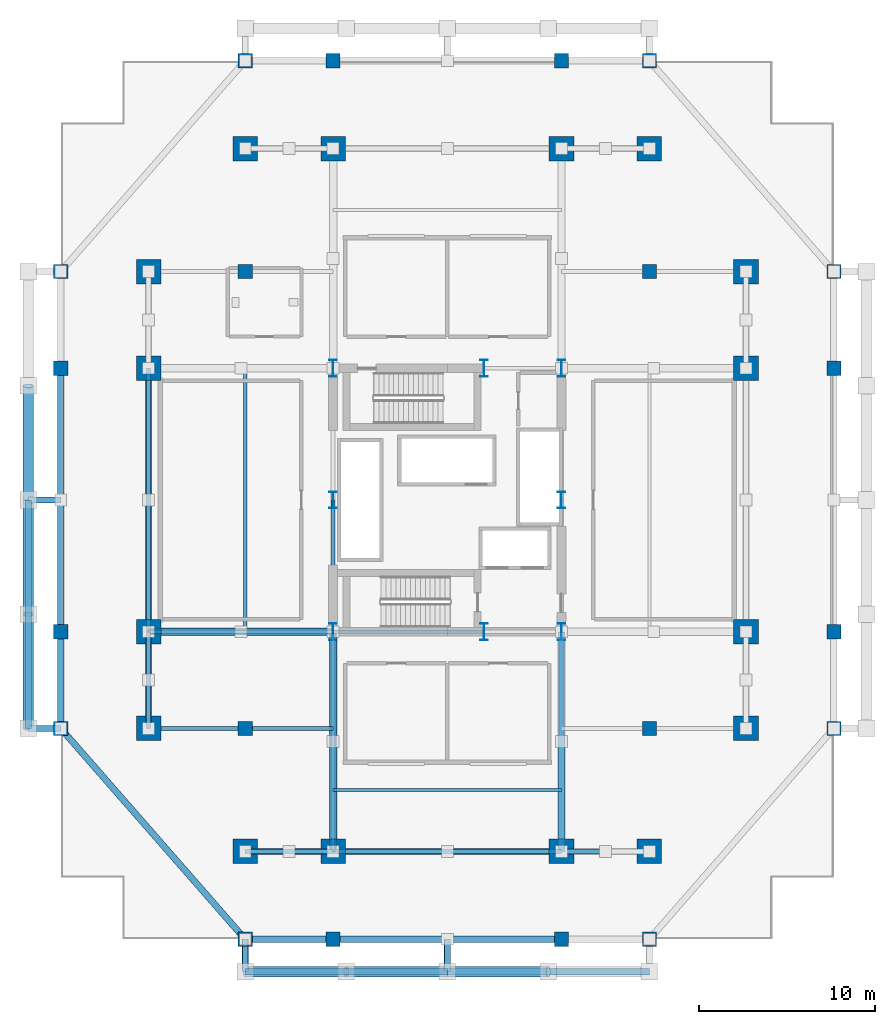
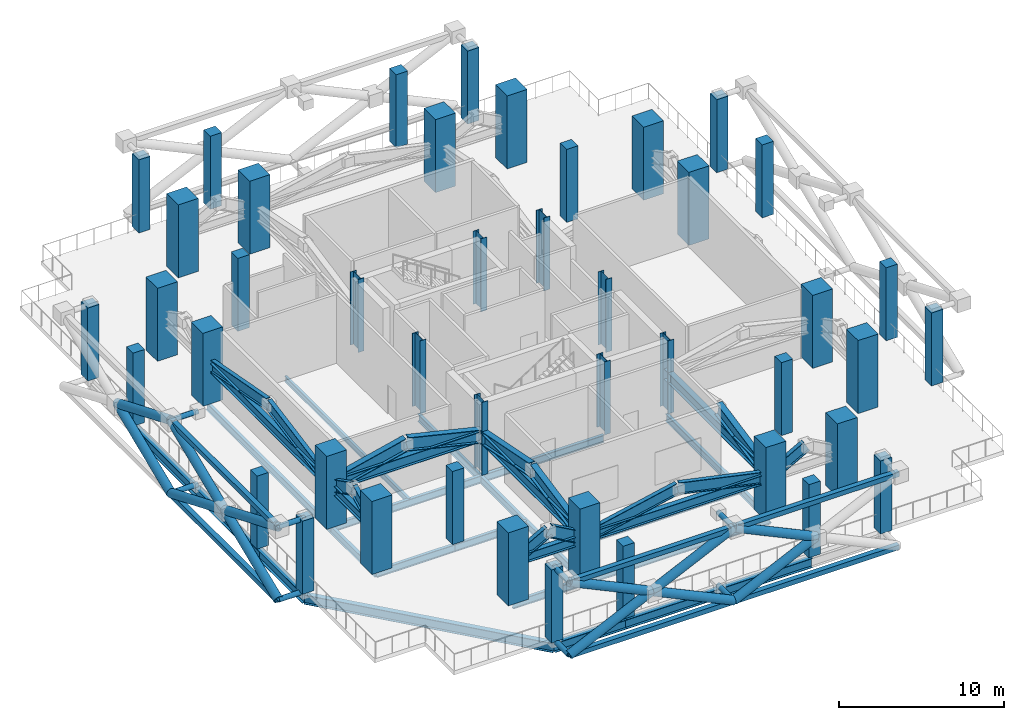
# One storey, part 1 of 9: 47 members, 44 columns, 18 beams.
"""IFC4 building model written with IfcOpenShell, lengths in metres."""

from ifc_helpers import new_model, si_unit, direction, frame, origin, origin_2d, place, context, subcontext, project, spatial, rectangle, hollow_rectangle, hollow_circle, i_section, extrude, material, material_profile, profile_set, type_object, element, save


model = new_model("IFC4")

# Units and contexts
model_context = context("Model", 3, precision=1e-05, world=origin(), true_north=direction((0.0, 1.0)))
body_context = subcontext(model_context, "Body", "Model", "MODEL_VIEW")
ifc_project = project(units=[si_unit("LENGTHUNIT", "METRE"), si_unit("AREAUNIT", "SQUARE_METRE"), si_unit("VOLUMEUNIT", "CUBIC_METRE"), si_unit("PLANEANGLEUNIT", "RADIAN"), si_unit("MASSUNIT", "GRAM", prefix="KILO")], contexts=[model_context])

# Site, building, storey
site_placement = place(None, origin())
site = spatial("IfcSite", under=ifc_project, at=site_placement, CompositionType="ELEMENT")
building_placement = place(site_placement, origin())
building = spatial("IfcBuilding", under=site, at=building_placement, Name="Barlavira Tower and Art Museum", CompositionType="ELEMENT")
storey_placement = place(building_placement, frame((0.0, 0.0, 93.60009765625)))
storey = spatial("IfcBuildingStorey", under=building, at=storey_placement, Name="L23", CompositionType="ELEMENT", Elevation=93.60009765625)

# Columns
ifc_material_1 = material(Name="Steel S355", Category="steel")
ifc_material_profile_1 = material_profile(ifc_material_1, i_section(OverallWidth=0.419921875, OverallDepth=0.9599609375, WebThickness=0.02197265625, FlangeThickness=0.033935546875, at=origin_2d()), Name="W920x387.0")
ifc_profile_set_1 = profile_set([ifc_material_profile_1], Name="Steel S355")
column_type_1 = type_object("IfcColumnType", Name="Core Composite Column W920x387 Steel S355", PredefinedType="COLUMN", material=ifc_profile_set_1)
for number, where, z_axis, x_axis, name in (
    (1, (-6.5, -7.5, 0.0), (0.0, 0.0, 1.0), (1.0, 0.0, 0.0), "L23 Column CC-L23-C1"),
    (2, (2.080078125, -7.5, 0.0), (0.0, 0.0, 1.0), (1.0, 0.0, 0.0), "L23 Column CC-L23-C2"),
    (3, (6.5, -7.5, 0.0), (0.0, 0.0, 1.0), (1.0, 0.0, 0.0), "L23 Column CC-L23-C3"),
    (4, (-6.5, 0.0, 0.0), (0.0, 0.0, 1.0), (1.0, 0.0, 0.0), "L23 Column CC-L23-C4"),
    (5, (6.5, 0.0, 0.0), (0.0, 0.0, 1.0), (1.0, 0.0, 0.0), "L23 Column CC-L23-C5"),
    (6, (-6.5, 7.5, 0.0), (0.0, 0.0, 1.0), (1.0, 0.0, 0.0), "L23 Column CC-L23-C6"),
    (7, (2.080078125, 7.5, 0.0), (0.0, 0.0, 1.0), (1.0, 0.0, 0.0), "L23 Column CC-L23-C7"),
    (8, (6.5, 7.5, 0.0), (0.0, 0.0, 1.0), (1.0, 0.0, 0.0), "L23 Column CC-L23-C8"),
):
    element("IfcColumn", number, at=place(storey_placement, frame(where, z_axis=z_axis, x_axis=x_axis)), inside=storey, type_object=column_type_1, Name=name, PredefinedType="COLUMN", context=body_context, shape_type="SweptSolid", body=[
        extrude(i_section(OverallWidth=0.419921875, OverallDepth=0.9599609375, WebThickness=0.02197265625, FlangeThickness=0.033935546875, at=origin_2d()), origin(), (0.0, 0.0, 1.0), 5.39990234375),
    ])
ifc_material_2 = material(Name="Concrete C60", Category="concrete")
ifc_material_profile_2 = material_profile(ifc_material_2, rectangle(XDim=1.39990234375, YDim=1.39990234375, at=origin_2d()), Name="RC-MCOL 1400x1400")
ifc_profile_set_2 = profile_set([ifc_material_profile_2], Name="Concrete C60")
column_type_2 = type_object("IfcColumnType", Name="Perimeter Mega Column 1400x1400 Concrete C60", PredefinedType="USERDEFINED", material=ifc_profile_set_2)
for number, where, z_axis, x_axis, name in (
    (9, (-11.5, -20.0, 0.0), (0.0, 0.0, 1.0), (1.0, 0.0, 0.0), "L23 Column MC-L23-M01"),
    (10, (-6.5, -20.0, 0.0), (0.0, 0.0, 1.0), (1.0, 0.0, 0.0), "L23 Column MC-L23-M02"),
    (11, (6.5, -20.0, 0.0), (0.0, 0.0, 1.0), (1.0, 0.0, 0.0), "L23 Column MC-L23-M03"),
    (12, (11.5, -20.0, 0.0), (0.0, 0.0, 1.0), (1.0, 0.0, 0.0), "L23 Column MC-L23-M04"),
    (13, (17.0, -13.0, 0.0), (0.0, 0.0, 1.0), (1.0, 0.0, 0.0), "L23 Column MC-L23-M05"),
    (14, (17.0, -7.5, 0.0), (0.0, 0.0, 1.0), (1.0, 0.0, 0.0), "L23 Column MC-L23-M06"),
    (15, (17.0, 7.5, 0.0), (0.0, 0.0, 1.0), (1.0, 0.0, 0.0), "L23 Column MC-L23-M07"),
    (16, (17.0, 13.0, 0.0), (0.0, 0.0, 1.0), (1.0, 0.0, 0.0), "L23 Column MC-L23-M08"),
    (17, (11.5, 20.0, 0.0), (0.0, 0.0, 1.0), (1.0, 0.0, 0.0), "L23 Column MC-L23-M09"),
    (18, (6.5, 20.0, 0.0), (0.0, 0.0, 1.0), (1.0, 0.0, 0.0), "L23 Column MC-L23-M10"),
    (19, (-6.5, 20.0, 0.0), (0.0, 0.0, 1.0), (1.0, 0.0, 0.0), "L23 Column MC-L23-M11"),
    (20, (-11.5, 20.0, 0.0), (0.0, 0.0, 1.0), (1.0, 0.0, 0.0), "L23 Column MC-L23-M12"),
    (21, (-17.0, 13.0, 0.0), (0.0, 0.0, 1.0), (1.0, 0.0, 0.0), "L23 Column MC-L23-M13"),
    (22, (-17.0, 7.5, 0.0), (0.0, 0.0, 1.0), (1.0, 0.0, 0.0), "L23 Column MC-L23-M14"),
    (23, (-17.0, -7.5, 0.0), (0.0, 0.0, 1.0), (1.0, 0.0, 0.0), "L23 Column MC-L23-M15"),
    (24, (-17.0, -13.0, 0.0), (0.0, 0.0, 1.0), (1.0, 0.0, 0.0), "L23 Column MC-L23-M16"),
):
    element("IfcColumn", number, at=place(storey_placement, frame(where, z_axis=z_axis, x_axis=x_axis)), inside=storey, type_object=column_type_2, Name=name, ObjectType="MEGA COLUMN", PredefinedType="USERDEFINED", context=body_context, shape_type="SweptSolid", body=[
        extrude(rectangle(XDim=1.39990234375, YDim=1.39990234375, at=origin_2d()), origin(), (0.0, 0.0, 1.0), 5.39990234375),
    ])
ifc_material_3 = material(Name="Concrete C50", Category="concrete")
ifc_material_profile_3 = material_profile(ifc_material_3, rectangle(XDim=0.800048828125, YDim=0.800048828125, at=origin_2d()), Name="RC-COL 800x800")
ifc_profile_set_3 = profile_set([ifc_material_profile_3], Name="Concrete C50")
column_type_3 = type_object("IfcColumnType", Name="Podium Frame Column 800x800 Concrete C50", PredefinedType="COLUMN", material=ifc_profile_set_3)
for number, where, z_axis, x_axis, name in (
    (25, (-11.5, -13.0, 0.0), (0.0, 0.0, 1.0), (1.0, 0.0, 0.0), "L23 Column CI-L23-I1"),
    (26, (11.5, -13.0, 0.0), (0.0, 0.0, 1.0), (1.0, 0.0, 0.0), "L23 Column CI-L23-I2"),
    (27, (-11.5, 13.0, 0.0), (0.0, 0.0, 1.0), (1.0, 0.0, 0.0), "L23 Column CI-L23-I3"),
    (28, (11.5, 13.0, 0.0), (0.0, 0.0, 1.0), (1.0, 0.0, 0.0), "L23 Column CI-L23-I4"),
    (29, (-11.5, -25.0, 0.0), (0.0, 0.0, 1.0), (1.0, 0.0, 0.0), "L23 Column CZ1-L23-N01"),
    (30, (-6.5, -25.0, 0.0), (0.0, 0.0, 1.0), (1.0, 0.0, 0.0), "L23 Column CZ1-L23-N02"),
    (31, (6.5, -25.0, 0.0), (0.0, 0.0, 1.0), (1.0, 0.0, 0.0), "L23 Column CZ1-L23-N02B"),
    (32, (11.5, -25.0, 0.0), (0.0, 0.0, 1.0), (1.0, 0.0, 0.0), "L23 Column CZ1-L23-N03"),
    (33, (-22.0, -13.0, 0.0), (0.0, 0.0, 1.0), (1.0, 0.0, 0.0), "L23 Column CZ1-L23-N04"),
    (34, (-22.0, -7.5, 0.0), (0.0, 0.0, 1.0), (1.0, 0.0, 0.0), "L23 Column CZ1-L23-N05"),
    (35, (-22.0, 7.5, 0.0), (0.0, 0.0, 1.0), (1.0, 0.0, 0.0), "L23 Column CZ1-L23-N05B"),
    (36, (-22.0, 13.0, 0.0), (0.0, 0.0, 1.0), (1.0, 0.0, 0.0), "L23 Column CZ1-L23-N06"),
    (37, (-11.5, 25.0, 0.0), (0.0, 0.0, 1.0), (1.0, 0.0, 0.0), "L23 Column CZ1-L23-N07"),
    (38, (-6.5, 25.0, 0.0), (0.0, 0.0, 1.0), (1.0, 0.0, 0.0), "L23 Column CZ1-L23-N08"),
    (39, (6.5, 25.0, 0.0), (0.0, 0.0, 1.0), (1.0, 0.0, 0.0), "L23 Column CZ1-L23-N08B"),
    (40, (11.5, 25.0, 0.0), (0.0, 0.0, 1.0), (1.0, 0.0, 0.0), "L23 Column CZ1-L23-N09"),
    (41, (22.0, -13.0, 0.0), (0.0, 0.0, 1.0), (1.0, 0.0, 0.0), "L23 Column CZ1-L23-N10"),
    (42, (22.0, -7.5, 0.0), (0.0, 0.0, 1.0), (1.0, 0.0, 0.0), "L23 Column CZ1-L23-N11"),
    (43, (22.0, 7.5, 0.0), (0.0, 0.0, 1.0), (1.0, 0.0, 0.0), "L23 Column CZ1-L23-N11B"),
    (44, (22.0, 13.0, 0.0), (0.0, 0.0, 1.0), (1.0, 0.0, 0.0), "L23 Column CZ1-L23-N12"),
):
    element("IfcColumn", number, at=place(storey_placement, frame(where, z_axis=z_axis, x_axis=x_axis)), inside=storey, type_object=column_type_3, Name=name, PredefinedType="COLUMN", context=body_context, shape_type="SweptSolid", body=[
        extrude(rectangle(XDim=0.800048828125, YDim=0.800048828125, at=origin_2d()), origin(), (0.0, 0.0, 1.0), 5.39990234375),
    ])

# Members
ifc_material_profile_4 = material_profile(ifc_material_1, i_section(OverallWidth=0.35595703125, OverallDepth=0.695068359375, WebThickness=0.014892578125, FlangeThickness=0.023681640625, at=origin_2d()), Name="W690x192.0")
ifc_profile_set_4 = profile_set([ifc_material_profile_4], Name="Steel S355")
member_type_1 = type_object("IfcMemberType", Name="Belt Truss Chord Member W690x192 Steel S355", PredefinedType="CHORD", material=ifc_profile_set_4)
member_1_placement = place(storey_placement, frame((-11.5, -20.0, 2.64990234375), z_axis=(1.0, 0.0, 0.0), x_axis=(0.0, 1.0, 0.0)))
element("IfcMember", 45, at=member_1_placement, inside=storey, type_object=member_type_1, Name="L23 Belt Truss Bottom Chord BS1", PredefinedType="CHORD", context=body_context, shape_type="SweptSolid", body=[
    extrude(i_section(OverallWidth=0.35595703125, OverallDepth=0.695068359375, WebThickness=0.014892578125, FlangeThickness=0.023681640625, at=origin_2d()), origin(), (0.0, 0.0, 1.0), 5.0),
])
member_2_placement = place(storey_placement, frame((-6.5, -20.0, 2.64990234375), z_axis=(1.0, 0.0, 0.0), x_axis=(0.0, 1.0, 0.0)))
element("IfcMember", 46, at=member_2_placement, inside=storey, type_object=member_type_1, Name="L23 Belt Truss Bottom Chord BS2", PredefinedType="CHORD", context=body_context, shape_type="SweptSolid", body=[
    extrude(i_section(OverallWidth=0.35595703125, OverallDepth=0.695068359375, WebThickness=0.014892578125, FlangeThickness=0.023681640625, at=origin_2d()), origin(), (0.0, 0.0, 1.0), 13.0),
])
member_3_placement = place(storey_placement, frame((-17.0, -13.0, 2.64990234375), z_axis=(0.0, 1.0, 0.0), x_axis=(-1.0, 0.0, 0.0)))
element("IfcMember", 47, at=member_3_placement, inside=storey, type_object=member_type_1, Name="L23 Belt Truss Bottom Chord BW1", PredefinedType="CHORD", context=body_context, shape_type="SweptSolid", body=[
    extrude(i_section(OverallWidth=0.35595703125, OverallDepth=0.695068359375, WebThickness=0.014892578125, FlangeThickness=0.023681640625, at=origin_2d()), origin(), (0.0, 0.0, 1.0), 5.5),
])
member_4_placement = place(storey_placement, frame((-17.0, -7.5, 2.64990234375), z_axis=(0.0, 1.0, 0.0), x_axis=(-1.0, 0.0, 0.0)))
element("IfcMember", 48, at=member_4_placement, inside=storey, type_object=member_type_1, Name="L23 Belt Truss Bottom Chord BW2", PredefinedType="CHORD", context=body_context, shape_type="SweptSolid", body=[
    extrude(i_section(OverallWidth=0.35595703125, OverallDepth=0.695068359375, WebThickness=0.014892578125, FlangeThickness=0.023681640625, at=origin_2d()), origin(), (0.0, 0.0, 1.0), 15.0),
])
ifc_material_profile_5 = material_profile(ifc_material_1, i_section(OverallWidth=0.2939453125, OverallDepth=0.85107421875, WebThickness=0.017333984375, FlangeThickness=0.0283203125, at=origin_2d()), Name="W840x251.0")
ifc_profile_set_5 = profile_set([ifc_material_profile_5], Name="Steel S355")
member_type_2 = type_object("IfcMemberType", Name="Belt Truss Diagonal Brace W840x251 Steel S355", PredefinedType="BRACE", material=ifc_profile_set_5)
for number, where, z_axis, x_axis, name in (
    (49, (-11.5, -20.0, 2.64990234375), (0.872520545396, 0.0, 0.488577422588), (0.0, 1.0, 0.0), "L23 Belt Truss Diagonal BS1-1"),
    (50, (-9.0, -20.0, 4.0498046875), (0.872520545396, 0.0, -0.488577422588), (0.0, 1.0, 0.0), "L23 Belt Truss Diagonal BS1-2"),
):
    element("IfcMember", number, at=place(storey_placement, frame(where, z_axis=z_axis, x_axis=x_axis)), inside=storey, type_object=member_type_2, Name=name, PredefinedType="BRACE", context=body_context, shape_type="SweptSolid", body=[
        extrude(i_section(OverallWidth=0.2939453125, OverallDepth=0.85107421875, WebThickness=0.017333984375, FlangeThickness=0.0283203125, at=origin_2d()), origin(), (0.0, 0.0, 1.0), 2.865234375),
    ])
for number, where, z_axis, x_axis, name in (
    (51, (-6.5, -20.0, 2.64990234375), (0.977584804239, 0.0, 0.210542039795), (0.0, 1.0, 0.0), "L23 Belt Truss Diagonal BS2-1"),
    (52, (0.0, -20.0, 4.0498046875), (0.977584804239, 0.0, -0.210542039795), (0.0, 1.0, 0.0), "L23 Belt Truss Diagonal BS2-2"),
):
    element("IfcMember", number, at=place(storey_placement, frame(where, z_axis=z_axis, x_axis=x_axis)), inside=storey, type_object=member_type_2, Name=name, PredefinedType="BRACE", context=body_context, shape_type="SweptSolid", body=[
        extrude(i_section(OverallWidth=0.2939453125, OverallDepth=0.85107421875, WebThickness=0.017333984375, FlangeThickness=0.0283203125, at=origin_2d()), origin(), (0.0, 0.0, 1.0), 6.64892578125),
    ])
member_5_placement = place(storey_placement, frame((6.5, -20.0, 2.64990234375), z_axis=(0.872520545396, 0.0, 0.488577422588), x_axis=(0.0, 1.0, 0.0)))
element("IfcMember", 53, at=member_5_placement, inside=storey, type_object=member_type_2, Name="L23 Belt Truss Diagonal BS3-1", PredefinedType="BRACE", context=body_context, shape_type="SweptSolid", body=[
    extrude(i_section(OverallWidth=0.2939453125, OverallDepth=0.85107421875, WebThickness=0.017333984375, FlangeThickness=0.0283203125, at=origin_2d()), origin(), (0.0, 0.0, 1.0), 2.865234375),
])
for number, where, z_axis, x_axis, name in (
    (54, (-17.0, -13.0, 2.64990234375), (0.0, 0.891175910254, 0.453657907439), (-1.0, 0.0, 0.0), "L23 Belt Truss Diagonal BW1-1"),
    (55, (-17.0, -10.25, 4.0498046875), (0.0, 0.891175910254, -0.453657907439), (-1.0, 0.0, 0.0), "L23 Belt Truss Diagonal BW1-2"),
):
    element("IfcMember", number, at=place(storey_placement, frame(where, z_axis=z_axis, x_axis=x_axis)), inside=storey, type_object=member_type_2, Name=name, PredefinedType="BRACE", context=body_context, shape_type="SweptSolid", body=[
        extrude(i_section(OverallWidth=0.2939453125, OverallDepth=0.85107421875, WebThickness=0.017333984375, FlangeThickness=0.0283203125, at=origin_2d()), origin(), (0.0, 0.0, 1.0), 3.085693359375),
    ])
for number, where, z_axis, x_axis, name in (
    (56, (-17.0, -7.5, 2.64990234375), (0.0, 0.983022557528, 0.183484744299), (-1.0, 0.0, 0.0), "L23 Belt Truss Diagonal BW2-1"),
    (57, (-17.0, 0.0, 4.0498046875), (0.0, 0.983022557528, -0.183484744299), (-1.0, 0.0, 0.0), "L23 Belt Truss Diagonal BW2-2"),
):
    element("IfcMember", number, at=place(storey_placement, frame(where, z_axis=z_axis, x_axis=x_axis)), inside=storey, type_object=member_type_2, Name=name, PredefinedType="BRACE", context=body_context, shape_type="SweptSolid", body=[
        extrude(i_section(OverallWidth=0.2939453125, OverallDepth=0.85107421875, WebThickness=0.017333984375, FlangeThickness=0.0283203125, at=origin_2d()), origin(), (0.0, 0.0, 1.0), 7.629638671875),
    ])
ifc_material_profile_6 = material_profile(ifc_material_1, i_section(OverallWidth=0.382080078125, OverallDepth=0.785888671875, WebThickness=0.02001953125, FlangeThickness=0.032958984375, at=origin_2d()), Name="W760x314.0")
ifc_profile_set_6 = profile_set([ifc_material_profile_6], Name="Steel S355")
member_type_3 = type_object("IfcMemberType", Name="Outrigger Truss Chord Member W760x314 Steel S355", PredefinedType="CHORD", material=ifc_profile_set_6)
member_6_placement = place(storey_placement, frame((-6.5, -7.5, 2.64990234375), z_axis=(-1.0, 0.0, 0.0), x_axis=(0.0, -1.0, 0.0)))
element("IfcMember", 58, at=member_6_placement, inside=storey, type_object=member_type_3, Name="L23 Outrigger Bottom Chord WS", PredefinedType="CHORD", context=body_context, shape_type="SweptSolid", body=[
    extrude(i_section(OverallWidth=0.382080078125, OverallDepth=0.785888671875, WebThickness=0.02001953125, FlangeThickness=0.032958984375, at=origin_2d()), origin(), (0.0, 0.0, 1.0), 10.5),
])
for number, where, z_axis, x_axis, name in (
    (59, (-6.5, -7.5, 2.64990234375), (0.0, -1.0, 0.0), (1.0, 0.0, 0.0), "L23 Outrigger Bottom Chord SW"),
    (60, (6.5, -7.5, 2.64990234375), (0.0, -1.0, 0.0), (1.0, 0.0, 0.0), "L23 Outrigger Bottom Chord SE"),
):
    element("IfcMember", number, at=place(storey_placement, frame(where, z_axis=z_axis, x_axis=x_axis)), inside=storey, type_object=member_type_3, Name=name, PredefinedType="CHORD", context=body_context, shape_type="SweptSolid", body=[
        extrude(i_section(OverallWidth=0.382080078125, OverallDepth=0.785888671875, WebThickness=0.02001953125, FlangeThickness=0.032958984375, at=origin_2d()), origin(), (0.0, 0.0, 1.0), 12.5),
    ])
ifc_material_profile_7 = material_profile(ifc_material_1, i_section(OverallWidth=0.419921875, OverallDepth=0.9599609375, WebThickness=0.02197265625, FlangeThickness=0.033935546875, at=origin_2d()), Name="W920x387.0")
ifc_profile_set_7 = profile_set([ifc_material_profile_7], Name="Steel S355")
member_type_4 = type_object("IfcMemberType", Name="Outrigger Truss Diagonal Brace W920x387 Steel S355", PredefinedType="BRACE", material=ifc_profile_set_7)
for number, where, z_axis, x_axis, name in (
    (61, (-6.5, -7.5, 2.64990234375), (-0.972806214685, 0.0, 0.231620527306), (0.0, -1.0, 0.0), "L23 Outrigger Diagonal Brace WS-1"),
    (62, (-11.75, -7.5, 3.89990234375), (-0.972806214685, 0.0, -0.231620527306), (0.0, -1.0, 0.0), "L23 Outrigger Diagonal Brace WS-2"),
):
    element("IfcMember", number, at=place(storey_placement, frame(where, z_axis=z_axis, x_axis=x_axis)), inside=storey, type_object=member_type_4, Name=name, PredefinedType="BRACE", context=body_context, shape_type="SweptSolid", body=[
        extrude(i_section(OverallWidth=0.419921875, OverallDepth=0.9599609375, WebThickness=0.02197265625, FlangeThickness=0.033935546875, at=origin_2d()), origin(), (0.0, 0.0, 1.0), 5.396728515625),
    ])
for number, where, z_axis, x_axis, name in (
    (63, (-6.5, -7.5, 2.64990234375), (0.0, -0.980580675691, 0.196116135138), (1.0, 0.0, 0.0), "L23 Outrigger Diagonal Brace SW-1"),
    (64, (-6.5, -13.75, 3.89990234375), (0.0, -0.980580675691, -0.196116135138), (1.0, 0.0, 0.0), "L23 Outrigger Diagonal Brace SW-2"),
    (65, (6.5, -13.75, 3.89990234375), (0.0, -0.980580675691, -0.196116135138), (1.0, 0.0, 0.0), "L23 Outrigger Diagonal Brace SE-2"),
):
    element("IfcMember", number, at=place(storey_placement, frame(where, z_axis=z_axis, x_axis=x_axis)), inside=storey, type_object=member_type_4, Name=name, PredefinedType="BRACE", context=body_context, shape_type="SweptSolid", body=[
        extrude(i_section(OverallWidth=0.419921875, OverallDepth=0.9599609375, WebThickness=0.02197265625, FlangeThickness=0.033935546875, at=origin_2d()), origin(), (0.0, 0.0, 1.0), 6.373779296875),
    ])
ifc_material_profile_8 = material_profile(ifc_material_1, hollow_circle(Radius=0.304931640625, WallThickness=0.028076171875, at=origin_2d()), Name="CHS 610.0x28.0")
ifc_profile_set_8 = profile_set([ifc_material_profile_8], Name="Steel S355")
member_type_5 = type_object("IfcMemberType", Name="Pale-Metal Exoskeleton Diagrid Tube CHS 610x28 Steel S355", PredefinedType="BRACE", material=ifc_profile_set_8)
for number, where, z_axis, x_axis, name in (
    (66, (-11.5, -26.85009765625, -0.1201171875), (0.905178105095, 0.0, 0.425032467062), (0.0, 1.0, 0.0), "L23 Exoskeleton Diagrid Tube S"),
    (67, (0.0, -26.85009765625, -0.1201171875), (-0.905178105095, 0.0, 0.425032467062), (0.0, -1.0, 0.0), "L23 Exoskeleton Diagrid Tube S"),
    (68, (-5.75, -26.85009765625, 2.579833984375), (-0.905178105095, 0.0, 0.425032467062), (0.0, -1.0, 0.0), "L23 Exoskeleton Diagrid Tube S"),
    (69, (-5.75, -26.85009765625, 2.579833984375), (0.905178105095, 0.0, 0.425032467062), (0.0, 1.0, 0.0), "L23 Exoskeleton Diagrid Tube S"),
    (70, (0.0, -26.85009765625, -0.1201171875), (0.905178105095, 0.0, 0.425032467062), (0.0, 1.0, 0.0), "L23 Exoskeleton Diagrid Tube S"),
    (71, (5.75, -26.85009765625, 2.579833984375), (-0.905178105095, 0.0, 0.425032467062), (0.0, -1.0, 0.0), "L23 Exoskeleton Diagrid Tube S"),
):
    element("IfcMember", number, at=place(storey_placement, frame(where, z_axis=z_axis, x_axis=x_axis)), inside=storey, type_object=member_type_5, Name=name, PredefinedType="BRACE", context=body_context, shape_type="SweptSolid", body=[
        extrude(hollow_circle(Radius=0.304931640625, WallThickness=0.028076171875, at=origin_2d()), origin(), (0.0, 0.0, 1.0), 6.352294921875),
    ])
for number, where, z_axis, x_axis, name in (
    (72, (-23.85009765625, -13.0, -0.1201171875), (0.0, 0.923499173836, 0.383600411788), (-1.0, 0.0, 0.0), "L23 Exoskeleton Diagrid Tube W"),
    (73, (-23.85009765625, 0.0, -0.1201171875), (0.0, -0.923499173836, 0.383600411788), (1.0, 0.0, 0.0), "L23 Exoskeleton Diagrid Tube W"),
    (74, (-23.85009765625, -6.5, 2.579833984375), (0.0, -0.923499173836, 0.383600411788), (1.0, 0.0, 0.0), "L23 Exoskeleton Diagrid Tube W"),
    (75, (-23.85009765625, -6.5, 2.579833984375), (0.0, 0.923499173836, 0.383600411788), (-1.0, 0.0, 0.0), "L23 Exoskeleton Diagrid Tube W"),
    (76, (-23.85009765625, 0.0, -0.1201171875), (0.0, 0.923499173836, 0.383600411788), (-1.0, 0.0, 0.0), "L23 Exoskeleton Diagrid Tube W"),
    (77, (-23.85009765625, 6.5, 2.579833984375), (0.0, -0.923499173836, 0.383600411788), (1.0, 0.0, 0.0), "L23 Exoskeleton Diagrid Tube W"),
):
    element("IfcMember", number, at=place(storey_placement, frame(where, z_axis=z_axis, x_axis=x_axis)), inside=storey, type_object=member_type_5, Name=name, PredefinedType="BRACE", context=body_context, shape_type="SweptSolid", body=[
        extrude(hollow_circle(Radius=0.304931640625, WallThickness=0.028076171875, at=origin_2d()), origin(), (0.0, 0.0, 1.0), 7.038330078125),
    ])
ifc_material_profile_9 = material_profile(ifc_material_1, hollow_rectangle(XDim=0.35009765625, YDim=0.35009765625, WallThickness=0.02001953125, at=origin_2d()), Name="SHS 350x350x20.0")
ifc_profile_set_9 = profile_set([ifc_material_profile_9], Name="Steel S355")
member_type_6 = type_object("IfcMemberType", Name="Pale-Metal Exoskeleton Ring Strut SHS 350x350x20 Steel S355", PredefinedType="STRUT", material=ifc_profile_set_9)
for number, where, z_axis, x_axis, name in (
    (78, (-11.5, -26.85009765625, -0.1201171875), (1.0, 0.0, 0.0), (0.0, 1.0, 0.0), "L23 Exoskeleton Ring Strut S"),
    (79, (0.0, -26.85009765625, -0.1201171875), (1.0, 0.0, 0.0), (0.0, 1.0, 0.0), "L23 Exoskeleton Ring Strut S"),
    (80, (-11.5, -26.85009765625, 5.27978515625), (1.0, 0.0, 0.0), (0.0, 1.0, 0.0), "L23 Exoskeleton Top Ring Strut S"),
    (81, (0.0, -26.85009765625, 5.27978515625), (1.0, 0.0, 0.0), (0.0, 1.0, 0.0), "L23 Exoskeleton Top Ring Strut S"),
):
    element("IfcMember", number, at=place(storey_placement, frame(where, z_axis=z_axis, x_axis=x_axis)), inside=storey, type_object=member_type_6, Name=name, PredefinedType="STRUT", context=body_context, shape_type="SweptSolid", body=[
        extrude(hollow_rectangle(XDim=0.35009765625, YDim=0.35009765625, WallThickness=0.02001953125, at=origin_2d()), origin(), (0.0, 0.0, 1.0), 11.5),
    ])
for number, where, z_axis, x_axis, name in (
    (82, (-23.85009765625, -13.0, -0.1201171875), (0.0, 1.0, 0.0), (-1.0, 0.0, 0.0), "L23 Exoskeleton Ring Strut W"),
    (83, (-23.85009765625, -13.0, 5.27978515625), (0.0, 1.0, 0.0), (-1.0, 0.0, 0.0), "L23 Exoskeleton Top Ring Strut W"),
):
    element("IfcMember", number, at=place(storey_placement, frame(where, z_axis=z_axis, x_axis=x_axis)), inside=storey, type_object=member_type_6, Name=name, PredefinedType="STRUT", context=body_context, shape_type="SweptSolid", body=[
        extrude(hollow_rectangle(XDim=0.35009765625, YDim=0.35009765625, WallThickness=0.02001953125, at=origin_2d()), origin(), (0.0, 0.0, 1.0), 13.0),
    ])
ifc_material_profile_10 = material_profile(ifc_material_1, hollow_circle(Radius=0.177734375, WallThickness=0.01611328125, at=origin_2d()), Name="CHS 355.6x16.0")
ifc_profile_set_10 = profile_set([ifc_material_profile_10], Name="Steel S355")
member_type_7 = type_object("IfcMemberType", Name="Pale-Metal Exoskeleton Tie Strut CHS 356x16 Steel S355", PredefinedType="STRUT", material=ifc_profile_set_10)
for number, where, z_axis, x_axis, name in (
    (84, (-11.5, -26.85009765625, -0.1201171875), (0.0, 1.0, 0.0), (-1.0, 0.0, 0.0), "L23 Exoskeleton Tie Strut S1"),
    (85, (0.0, -26.85009765625, -0.1201171875), (0.0, 1.0, 0.0), (-1.0, 0.0, 0.0), "L23 Exoskeleton Tie Strut S2"),
    (86, (-11.5, -26.85009765625, 5.27978515625), (0.0, 1.0, 0.0), (-1.0, 0.0, 0.0), "L23 Exoskeleton Top Tie Strut S1"),
    (87, (0.0, -26.85009765625, 5.27978515625), (0.0, 1.0, 0.0), (-1.0, 0.0, 0.0), "L23 Exoskeleton Top Tie Strut S2"),
    (88, (-23.85009765625, -13.0, -0.1201171875), (1.0, 0.0, 0.0), (0.0, 1.0, 0.0), "L23 Exoskeleton Tie Strut W1"),
    (89, (-23.85009765625, 0.0, -0.1201171875), (1.0, 0.0, 0.0), (0.0, 1.0, 0.0), "L23 Exoskeleton Tie Strut W2"),
    (90, (-23.85009765625, -13.0, 5.27978515625), (1.0, 0.0, 0.0), (0.0, 1.0, 0.0), "L23 Exoskeleton Top Tie Strut W1"),
    (91, (-23.85009765625, 0.0, 5.27978515625), (1.0, 0.0, 0.0), (0.0, 1.0, 0.0), "L23 Exoskeleton Top Tie Strut W2"),
):
    element("IfcMember", number, at=place(storey_placement, frame(where, z_axis=z_axis, x_axis=x_axis)), inside=storey, type_object=member_type_7, Name=name, PredefinedType="STRUT", context=body_context, shape_type="SweptSolid", body=[
        extrude(hollow_circle(Radius=0.177734375, WallThickness=0.01611328125, at=origin_2d()), origin(), (0.0, 0.0, 1.0), 1.85009765625),
    ])

# Beams
ifc_material_profile_11 = material_profile(ifc_material_1, i_section(OverallWidth=0.35595703125, OverallDepth=0.695068359375, WebThickness=0.014892578125, FlangeThickness=0.023681640625, at=origin_2d()), Name="W690x192.0")
ifc_profile_set_11 = profile_set([ifc_material_profile_11], Name="Steel S355")
beam_type_1 = type_object("IfcBeamType", Name="Wind Floor Perimeter Edge Spandrel W690x192 Steel S355", PredefinedType="SPANDREL", material=ifc_profile_set_11)
beam_1_placement = place(storey_placement, frame((-11.5, -25.0, -0.647705078125), z_axis=(1.0, 0.0, 0.0), x_axis=(0.0, 1.0, 0.0)))
element("IfcBeam", 92, at=beam_1_placement, inside=storey, type_object=beam_type_1, Name="L23 Spandrel 1", PredefinedType="SPANDREL", context=body_context, shape_type="SweptSolid", body=[
    extrude(i_section(OverallWidth=0.35595703125, OverallDepth=0.695068359375, WebThickness=0.014892578125, FlangeThickness=0.023681640625, at=origin_2d()), origin(), (0.0, 0.0, 1.0), 5.0),
])
beam_2_placement = place(storey_placement, frame((-6.5, -25.0, -0.647705078125), z_axis=(1.0, 0.0, 0.0), x_axis=(0.0, 1.0, 0.0)))
element("IfcBeam", 93, at=beam_2_placement, inside=storey, type_object=beam_type_1, Name="L23 Spandrel 2", PredefinedType="SPANDREL", context=body_context, shape_type="SweptSolid", body=[
    extrude(i_section(OverallWidth=0.35595703125, OverallDepth=0.695068359375, WebThickness=0.014892578125, FlangeThickness=0.023681640625, at=origin_2d()), origin(), (0.0, 0.0, 1.0), 13.0),
])
beam_3_placement = place(storey_placement, frame((-22.0, -7.5, -0.647705078125), z_axis=(0.0, 1.0, 0.0), x_axis=(-1.0, 0.0, 0.0)))
element("IfcBeam", 94, at=beam_3_placement, inside=storey, type_object=beam_type_1, Name="L23 Spandrel 14", PredefinedType="SPANDREL", context=body_context, shape_type="SweptSolid", body=[
    extrude(i_section(OverallWidth=0.35595703125, OverallDepth=0.695068359375, WebThickness=0.014892578125, FlangeThickness=0.023681640625, at=origin_2d()), origin(), (0.0, 0.0, 1.0), 15.0),
])
beam_4_placement = place(storey_placement, frame((-22.0, -13.0, -0.647705078125), z_axis=(0.0, 1.0, 0.0), x_axis=(-1.0, 0.0, 0.0)))
element("IfcBeam", 95, at=beam_4_placement, inside=storey, type_object=beam_type_1, Name="L23 Spandrel 15", PredefinedType="SPANDREL", context=body_context, shape_type="SweptSolid", body=[
    extrude(i_section(OverallWidth=0.35595703125, OverallDepth=0.695068359375, WebThickness=0.014892578125, FlangeThickness=0.023681640625, at=origin_2d()), origin(), (0.0, 0.0, 1.0), 5.5),
])
beam_5_placement = place(storey_placement, frame((-22.0, -13.0, -0.647705078125), z_axis=(0.658504607869, -0.752576694707, 0.0), x_axis=(0.752576694707, 0.658504607869, 0.0)))
element("IfcBeam", 96, at=beam_5_placement, inside=storey, type_object=beam_type_1, Name="L23 Spandrel 16", PredefinedType="SPANDREL", context=body_context, shape_type="SweptSolid", body=[
    extrude(i_section(OverallWidth=0.35595703125, OverallDepth=0.695068359375, WebThickness=0.014892578125, FlangeThickness=0.023681640625, at=origin_2d()), origin(), (0.0, 0.0, 1.0), 15.9453125),
])
ifc_material_profile_12 = material_profile(ifc_material_1, i_section(OverallWidth=0.180908203125, OverallDepth=0.4169921875, WebThickness=0.010986328125, FlangeThickness=0.018310546875, at=origin_2d()), Name="W410x85.0")
ifc_profile_set_12 = profile_set([ifc_material_profile_12], Name="Steel S355")
beam_type_2 = type_object("IfcBeamType", Name="Zone 1 Composite Floor Joist W410x85 Steel S355", PredefinedType="JOIST", material=ifc_profile_set_12)
beam_6_placement = place(storey_placement, frame((-6.5, -16.5, -0.508544921875), z_axis=(1.0, 0.0, 0.0), x_axis=(0.0, 1.0, 0.0)))
element("IfcBeam", 97, at=beam_6_placement, inside=storey, type_object=beam_type_2, Name="L23 Joist C1", PredefinedType="JOIST", context=body_context, shape_type="SweptSolid", body=[
    extrude(i_section(OverallWidth=0.180908203125, OverallDepth=0.4169921875, WebThickness=0.010986328125, FlangeThickness=0.018310546875, at=origin_2d()), origin(), (0.0, 0.0, 1.0), 13.0),
])
beam_7_placement = place(storey_placement, frame((-11.5, -7.5, -0.508544921875), z_axis=(0.0, 1.0, 0.0), x_axis=(-1.0, 0.0, 0.0)))
element("IfcBeam", 98, at=beam_7_placement, inside=storey, type_object=beam_type_2, Name="L23 Joist W1", PredefinedType="JOIST", context=body_context, shape_type="SweptSolid", body=[
    extrude(i_section(OverallWidth=0.180908203125, OverallDepth=0.4169921875, WebThickness=0.010986328125, FlangeThickness=0.018310546875, at=origin_2d()), origin(), (0.0, 0.0, 1.0), 15.0),
])
ifc_material_profile_13 = material_profile(ifc_material_1, i_section(OverallWidth=0.214111328125, OverallDepth=0.549072265625, WebThickness=0.0146484375, FlangeThickness=0.023681640625, at=origin_2d()), Name="W530x138.0")
ifc_profile_set_13 = profile_set([ifc_material_profile_13], Name="Steel S355")
beam_type_3 = type_object("IfcBeamType", Name="Zone 1 Primary Floor Girder W530x138 Steel S355", PredefinedType="BEAM", material=ifc_profile_set_13)
beam_8_placement = place(storey_placement, frame((-6.5, -7.5, -0.57470703125), z_axis=(1.0, 0.0, 0.0), x_axis=(0.0, 1.0, 0.0)))
element("IfcBeam", 99, at=beam_8_placement, inside=storey, type_object=beam_type_3, Name="L23 Girder C-S1", PredefinedType="BEAM", context=body_context, shape_type="SweptSolid", body=[
    extrude(i_section(OverallWidth=0.214111328125, OverallDepth=0.549072265625, WebThickness=0.0146484375, FlangeThickness=0.023681640625, at=origin_2d()), origin(), (0.0, 0.0, 1.0), 8.580078125),
])
beam_9_placement = place(storey_placement, frame((-6.5, -7.5, -0.57470703125), z_axis=(0.0, 1.0, 0.0), x_axis=(-1.0, 0.0, 0.0)))
element("IfcBeam", 100, at=beam_9_placement, inside=storey, type_object=beam_type_3, Name="L23 Girder C-W1", PredefinedType="BEAM", context=body_context, shape_type="SweptSolid", body=[
    extrude(i_section(OverallWidth=0.214111328125, OverallDepth=0.549072265625, WebThickness=0.0146484375, FlangeThickness=0.023681640625, at=origin_2d()), origin(), (0.0, 0.0, 1.0), 7.5),
])
beam_10_placement = place(storey_placement, frame((-11.5, -20.0, -0.57470703125), z_axis=(1.0, 0.0, 0.0), x_axis=(0.0, 1.0, 0.0)))
element("IfcBeam", 101, at=beam_10_placement, inside=storey, type_object=beam_type_3, Name="L23 Girder M-S1", PredefinedType="BEAM", context=body_context, shape_type="SweptSolid", body=[
    extrude(i_section(OverallWidth=0.214111328125, OverallDepth=0.549072265625, WebThickness=0.0146484375, FlangeThickness=0.023681640625, at=origin_2d()), origin(), (0.0, 0.0, 1.0), 5.0),
])
beam_11_placement = place(storey_placement, frame((-6.5, -20.0, -0.57470703125), z_axis=(1.0, 0.0, 0.0), x_axis=(0.0, 1.0, 0.0)))
element("IfcBeam", 102, at=beam_11_placement, inside=storey, type_object=beam_type_3, Name="L23 Girder M-S2", PredefinedType="BEAM", context=body_context, shape_type="SweptSolid", body=[
    extrude(i_section(OverallWidth=0.214111328125, OverallDepth=0.549072265625, WebThickness=0.0146484375, FlangeThickness=0.023681640625, at=origin_2d()), origin(), (0.0, 0.0, 1.0), 13.0),
])
beam_12_placement = place(storey_placement, frame((-17.0, -13.0, -0.57470703125), z_axis=(0.0, 1.0, 0.0), x_axis=(-1.0, 0.0, 0.0)))
element("IfcBeam", 103, at=beam_12_placement, inside=storey, type_object=beam_type_3, Name="L23 Girder M-W1", PredefinedType="BEAM", context=body_context, shape_type="SweptSolid", body=[
    extrude(i_section(OverallWidth=0.214111328125, OverallDepth=0.549072265625, WebThickness=0.0146484375, FlangeThickness=0.023681640625, at=origin_2d()), origin(), (0.0, 0.0, 1.0), 5.5),
])
beam_13_placement = place(storey_placement, frame((-17.0, -7.5, -0.57470703125), z_axis=(0.0, 1.0, 0.0), x_axis=(-1.0, 0.0, 0.0)))
element("IfcBeam", 104, at=beam_13_placement, inside=storey, type_object=beam_type_3, Name="L23 Girder M-W2", PredefinedType="BEAM", context=body_context, shape_type="SweptSolid", body=[
    extrude(i_section(OverallWidth=0.214111328125, OverallDepth=0.549072265625, WebThickness=0.0146484375, FlangeThickness=0.023681640625, at=origin_2d()), origin(), (0.0, 0.0, 1.0), 15.0),
])
for number, where, z_axis, x_axis, name in (
    (105, (-6.5, -20.0, -0.57470703125), (0.0, 1.0, 0.0), (-1.0, 0.0, 0.0), "L23 Girder R-S1"),
    (106, (6.5, -20.0, -0.57470703125), (0.0, 1.0, 0.0), (-1.0, 0.0, 0.0), "L23 Girder R-S2"),
):
    element("IfcBeam", number, at=place(storey_placement, frame(where, z_axis=z_axis, x_axis=x_axis)), inside=storey, type_object=beam_type_3, Name=name, PredefinedType="BEAM", context=body_context, shape_type="SweptSolid", body=[
        extrude(i_section(OverallWidth=0.214111328125, OverallDepth=0.549072265625, WebThickness=0.0146484375, FlangeThickness=0.023681640625, at=origin_2d()), origin(), (0.0, 0.0, 1.0), 12.5),
    ])
beam_14_placement = place(storey_placement, frame((-17.0, -7.5, -0.57470703125), z_axis=(1.0, 0.0, 0.0), x_axis=(0.0, 1.0, 0.0)))
element("IfcBeam", 107, at=beam_14_placement, inside=storey, type_object=beam_type_3, Name="L23 Girder R-W1", PredefinedType="BEAM", context=body_context, shape_type="SweptSolid", body=[
    extrude(i_section(OverallWidth=0.214111328125, OverallDepth=0.549072265625, WebThickness=0.0146484375, FlangeThickness=0.023681640625, at=origin_2d()), origin(), (0.0, 0.0, 1.0), 10.5),
])
beam_15_placement = place(storey_placement, frame((-17.0, -13.0, -0.57470703125), z_axis=(1.0, 0.0, 0.0), x_axis=(0.0, 1.0, 0.0)))
element("IfcBeam", 108, at=beam_15_placement, inside=storey, type_object=beam_type_3, Name="L23 Girder I-S1", PredefinedType="BEAM", context=body_context, shape_type="SweptSolid", body=[
    extrude(i_section(OverallWidth=0.214111328125, OverallDepth=0.549072265625, WebThickness=0.0146484375, FlangeThickness=0.023681640625, at=origin_2d()), origin(), (0.0, 0.0, 1.0), 5.5),
])
beam_16_placement = place(storey_placement, frame((-11.5, -13.0, -0.57470703125), z_axis=(1.0, 0.0, 0.0), x_axis=(0.0, 1.0, 0.0)))
element("IfcBeam", 109, at=beam_16_placement, inside=storey, type_object=beam_type_3, Name="L23 Girder I-S2", PredefinedType="BEAM", context=body_context, shape_type="SweptSolid", body=[
    extrude(i_section(OverallWidth=0.214111328125, OverallDepth=0.549072265625, WebThickness=0.0146484375, FlangeThickness=0.023681640625, at=origin_2d()), origin(), (0.0, 0.0, 1.0), 5.0),
])

save(model, "model.ifc")
